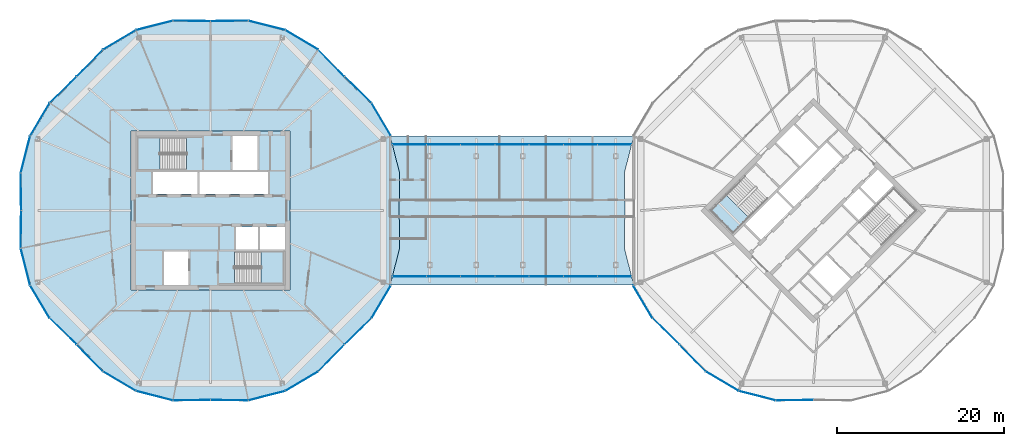
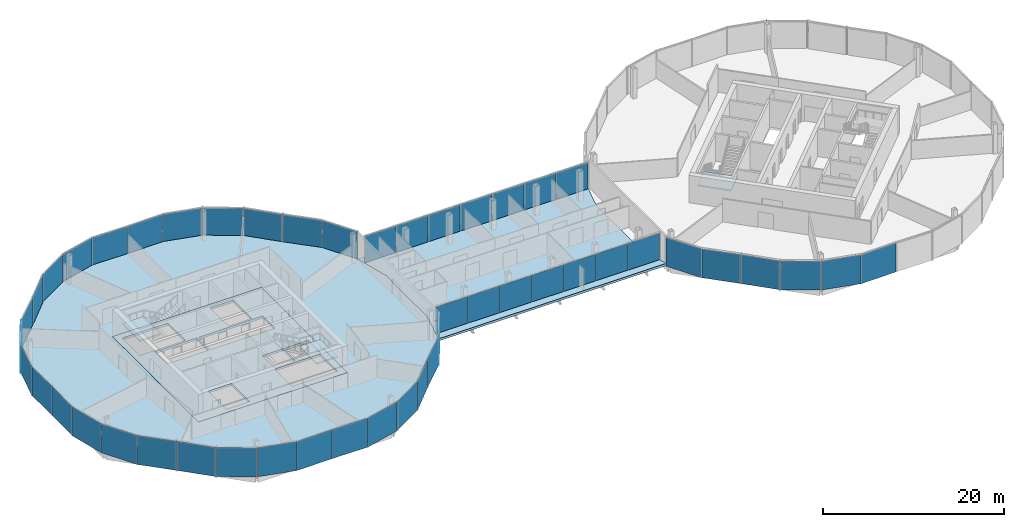
# One storey, part 18 of 26: 48 plates, 6 slabs, 15 elements without a shape of their own.
"""IFC4 building model written with IfcOpenShell, lengths in metres."""

from ifc_helpers import new_model, si_unit, direction, frame, origin, origin_2d, place, context, subcontext, project, spatial, polyline, rectangle, outline, extrude, material, layer, layer_set, type_object, element, aggregate, save


model = new_model("IFC4")

# Units and contexts
model_context = context("Model", 3, precision=1e-05, world=origin(), true_north=direction((0.0, 1.0)))
body_context = subcontext(model_context, "Body", "Model", "MODEL_VIEW")
ifc_project = project(units=[si_unit("LENGTHUNIT", "METRE"), si_unit("AREAUNIT", "SQUARE_METRE"), si_unit("VOLUMEUNIT", "CUBIC_METRE"), si_unit("PLANEANGLEUNIT", "RADIAN"), si_unit("MASSUNIT", "GRAM", prefix="KILO")], contexts=[model_context])

# Site, building, storey
site_placement = place(None, origin())
site = spatial("IfcSite", under=ifc_project, at=site_placement, CompositionType="ELEMENT")
building_placement = place(site_placement, origin())
building = spatial("IfcBuilding", under=site, at=building_placement, Name="Ogive Gate Towers", CompositionType="ELEMENT")
storey_placement = place(building_placement, frame((0.0, 0.0, 148.800048828125)))
storey = spatial("IfcBuildingStorey", under=building, at=storey_placement, Name="L35", CompositionType="ELEMENT", Elevation=148.800048828125)

# Slabs
ifc_material_1 = material(Name="Concrete C40/50", Category="concrete")
ifc_layer_1 = layer(ifc_material_1, 0.300048828125)
ifc_layer_set_1 = layer_set([ifc_layer_1], Name="Core slab C40/50 300 mm")
slab_type_1 = type_object("IfcSlabType", Name="Core slab C40/50 300 mm", PredefinedType="FLOOR", material=ifc_layer_set_1)
slab_1_placement = place(storey_placement, frame((0.0, 0.0, -0.300048828125)))
element("IfcSlab", 1, at=slab_1_placement, inside=storey, type_object=slab_type_1, Name="T1 L35 core slab", PredefinedType="FLOOR", context=body_context, shape_type="SweptSolid", body=[
    extrude(outline(polyline([(-45.5, -9.5), (-45.5, 9.5), (-26.5, 9.5), (-26.5, -9.5), (-45.5, -9.5)]), holes=[polyline([(-42.875, 1.949951171875), (-37.574951171875, 1.949951171875), (-37.574951171875, 4.625), (-42.875, 4.625), (-42.875, 1.949951171875)]), polyline([(-37.324951171875, 4.625), (-37.324951171875, 1.949951171875), (-29.125, 1.949951171875), (-29.125, 4.625), (-37.324951171875, 4.625)]), polyline([(-30.324951171875, -1.949951171875), (-32.97509765625, -1.949951171875), (-32.97509765625, -4.625), (-30.324951171875, -4.625), (-30.324951171875, -1.949951171875)]), polyline([(-27.10009765625, -4.625), (-27.10009765625, -1.949951171875), (-30.074951171875, -1.949951171875), (-30.074951171875, -4.625), (-27.10009765625, -4.625)]), polyline([(-33.375, 4.875), (-30.425048828125, 4.875), (-30.425048828125, 8.89990234375), (-33.375, 8.89990234375), (-33.375, 4.875)]), polyline([(-41.574951171875, -4.875), (-41.574951171875, -8.89990234375), (-38.625, -8.89990234375), (-38.625, -4.875), (-41.574951171875, -4.875)]), polyline([(-44.699951171875, 4.875), (-38.885009765625, 4.875), (-38.885009765625, 8.699951171875), (-44.699951171875, 8.699951171875), (-44.699951171875, 4.875)]), polyline([(-27.300048828125, -8.699951171875), (-27.300048828125, -4.875), (-33.114990234375, -4.875), (-33.114990234375, -8.699951171875), (-27.300048828125, -8.699951171875)])]), origin(), (0.0, 0.0, 1.0), 0.300048828125),
])
ifc_material_2 = material(Name="Concrete C35/45", Category="concrete")
ifc_layer_2 = layer(ifc_material_2, 0.300048828125)
ifc_layer_set_2 = layer_set([ifc_layer_2], Name="Floor slab 300")
slab_type_2 = type_object("IfcSlabType", Name="Floor slab 300", PredefinedType="FLOOR", material=ifc_layer_set_2)
slab_2_placement = place(storey_placement, frame((0.0, 0.0, -0.300048828125)))
element("IfcSlab", 2, at=slab_2_placement, inside=storey, type_object=slab_type_2, Name="T1/L35/SSL001", PredefinedType="FLOOR", context=body_context, shape_type="SweptSolid", body=[
    extrude(outline(polyline([(-13.42236328125, -4.490966796875), (-13.47998046875, 0.0), (-13.42236328125, 4.490966796875), (-14.547607421875, 8.885986328125), (-16.859619140625, 12.789306640625), (-20.075927734375, 15.924072265625), (-23.210693359375, 19.140380859375), (-27.114013671875, 21.452392578125), (-31.509033203125, 22.57763671875), (-36.0, 22.52001953125), (-40.490966796875, 22.57763671875), (-44.885986328125, 21.452392578125), (-48.789306640625, 19.140380859375), (-51.924072265625, 15.924072265625), (-55.140380859375, 12.789306640625), (-57.452392578125, 8.885986328125), (-58.57763671875, 4.490966796875), (-58.52001953125, 0.0), (-58.57763671875, -4.490966796875), (-57.452392578125, -8.885986328125), (-55.140380859375, -12.789306640625), (-51.924072265625, -15.924072265625), (-48.789306640625, -19.140380859375), (-44.885986328125, -21.452392578125), (-40.490966796875, -22.57763671875), (-36.0, -22.52001953125), (-31.509033203125, -22.57763671875), (-27.114013671875, -21.452392578125), (-23.210693359375, -19.140380859375), (-20.075927734375, -15.924072265625), (-16.859619140625, -12.789306640625), (-14.547607421875, -8.885986328125), (-13.42236328125, -4.490966796875)]), holes=[polyline([(-26.5, -9.5), (-45.5, -9.5), (-45.5, 9.5), (-26.5, 9.5), (-26.5, -9.5)])]), origin(), (0.0, 0.0, 1.0), 0.300048828125),
])
slab_3_placement = place(storey_placement, frame((0.0, 0.0, -0.300048828125)))
element("IfcSlab", 3, at=slab_3_placement, inside=storey, type_object=slab_type_2, Name="BR/L35/SSL001", PredefinedType="FLOOR", context=body_context, shape_type="SweptSolid", body=[
    extrude(outline(polyline([(-14.547607421875, -8.885986328125), (14.547607421875, -8.885986328125), (14.547607421875, -8.885986328125), (13.42236328125, -4.490966796875), (13.47998046875, 0.0), (13.42236328125, 4.490966796875), (14.547607421875, 8.885986328125), (-14.547607421875, 8.885986328125), (-13.42236328125, 4.490966796875), (-13.47998046875, 0.0), (-13.42236328125, -4.490966796875), (-14.547607421875, -8.885986328125), (-14.547607421875, -8.885986328125)])), origin(), (0.0, 0.0, 1.0), 0.300048828125),
])

# Curtain wall, plates
ifc_material_3 = material(Name="Pale metal aluminium", Category="aluminium")
curtain_wall_type_1 = type_object("IfcCurtainWallType", Name="Gate block facade", PredefinedType="NOTDEFINED", material=ifc_material_3)
curtain_wall_1_placement = place(storey_placement, origin())
curtain_wall_1 = element("IfcCurtainWall", 4, at=curtain_wall_1_placement, inside=storey, type_object=curtain_wall_type_1, Name="CW3 BR ECW01", PredefinedType="NOTDEFINED")
ifc_material_4 = material(Name="Clear glass", Category="glass")
ifc_layer_3 = layer(ifc_material_4, 0.028076171875)
ifc_layer_set_3 = layer_set([ifc_layer_3], Name="Gate block facade glass panel")
plate_type_1 = type_object("IfcPlateType", Name="Gate block facade glass panel", PredefinedType="CURTAIN_PANEL", material=ifc_layer_set_3)
plate_1_placement = place(storey_placement, frame((-12.249755859375, -7.885986328125, -0.30029296875), z_axis=(0.0, 0.0, 1.0), x_axis=(1.0, 0.0, 0.0)))
plate_1 = element("IfcPlate", 5, at=plate_1_placement, type_object=plate_type_1, Name="CW3 glass panel", PredefinedType="CURTAIN_PANEL", context=body_context, shape_type="SweptSolid", body=[
    extrude(rectangle(XDim=4.029296875, YDim=0.028076171875, at=origin_2d()), origin(), (0.0, 0.0, 1.0), 3.884033203125),
])
plate_2_placement = place(storey_placement, frame((-8.16650390625, -7.885986328125, -0.30029296875), z_axis=(0.0, 0.0, 1.0), x_axis=(1.0, 0.0, 0.0)))
plate_2 = element("IfcPlate", 6, at=plate_2_placement, type_object=plate_type_1, Name="CW3 glass panel", PredefinedType="CURTAIN_PANEL", context=body_context, shape_type="SweptSolid", body=[
    extrude(rectangle(XDim=4.029296875, YDim=0.028076171875, at=origin_2d()), origin(), (0.0, 0.0, 1.0), 3.884033203125),
])
plate_3_placement = place(storey_placement, frame((-4.083251953125, -7.885986328125, -0.30029296875), z_axis=(0.0, 0.0, 1.0), x_axis=(1.0, 0.0, 0.0)))
plate_3 = element("IfcPlate", 7, at=plate_3_placement, type_object=plate_type_1, Name="CW3 glass panel", PredefinedType="CURTAIN_PANEL", context=body_context, shape_type="SweptSolid", body=[
    extrude(rectangle(XDim=4.029296875, YDim=0.028076171875, at=origin_2d()), origin(), (0.0, 0.0, 1.0), 3.884033203125),
])
plate_4_placement = place(storey_placement, frame((0.0, -7.885986328125, -0.30029296875), z_axis=(0.0, 0.0, 1.0), x_axis=(1.0, 0.0, 0.0)))
plate_4 = element("IfcPlate", 8, at=plate_4_placement, type_object=plate_type_1, Name="CW3 glass panel", PredefinedType="CURTAIN_PANEL", context=body_context, shape_type="SweptSolid", body=[
    extrude(rectangle(XDim=4.029296875, YDim=0.028076171875, at=origin_2d()), origin(), (0.0, 0.0, 1.0), 3.884033203125),
])
plate_5_placement = place(storey_placement, frame((4.083251953125, -7.885986328125, -0.30029296875), z_axis=(0.0, 0.0, 1.0), x_axis=(1.0, 0.0, 0.0)))
plate_5 = element("IfcPlate", 9, at=plate_5_placement, type_object=plate_type_1, Name="CW3 glass panel", PredefinedType="CURTAIN_PANEL", context=body_context, shape_type="SweptSolid", body=[
    extrude(rectangle(XDim=4.029296875, YDim=0.028076171875, at=origin_2d()), origin(), (0.0, 0.0, 1.0), 3.884033203125),
])
plate_6_placement = place(storey_placement, frame((8.16650390625, -7.885986328125, -0.30029296875), z_axis=(0.0, 0.0, 1.0), x_axis=(1.0, 0.0, 0.0)))
plate_6 = element("IfcPlate", 10, at=plate_6_placement, type_object=plate_type_1, Name="CW3 glass panel", PredefinedType="CURTAIN_PANEL", context=body_context, shape_type="SweptSolid", body=[
    extrude(rectangle(XDim=4.029296875, YDim=0.028076171875, at=origin_2d()), origin(), (0.0, 0.0, 1.0), 3.884033203125),
])
plate_7_placement = place(storey_placement, frame((12.249755859375, -7.885986328125, -0.30029296875), z_axis=(0.0, 0.0, 1.0), x_axis=(1.0, 0.0, 0.0)))
plate_7 = element("IfcPlate", 11, at=plate_7_placement, type_object=plate_type_1, Name="CW3 glass panel", PredefinedType="CURTAIN_PANEL", context=body_context, shape_type="SweptSolid", body=[
    extrude(rectangle(XDim=4.029296875, YDim=0.028076171875, at=origin_2d()), origin(), (0.0, 0.0, 1.0), 3.884033203125),
])
aggregate(curtain_wall_1, [plate_1, plate_2, plate_3, plate_4, plate_5, plate_6, plate_7])

curtain_wall_2_placement = place(storey_placement, origin())
curtain_wall_2 = element("IfcCurtainWall", 12, at=curtain_wall_2_placement, inside=storey, type_object=curtain_wall_type_1, Name="CW3 BR ECW02", PredefinedType="NOTDEFINED")
plate_8_placement = place(storey_placement, frame((12.249755859375, 7.885986328125, -0.30029296875), z_axis=(0.0, 0.0, 1.0), x_axis=(-1.0, 0.0, 0.0)))
plate_8 = element("IfcPlate", 13, at=plate_8_placement, type_object=plate_type_1, Name="CW3 glass panel", PredefinedType="CURTAIN_PANEL", context=body_context, shape_type="SweptSolid", body=[
    extrude(rectangle(XDim=4.029296875, YDim=0.028076171875, at=origin_2d()), origin(), (0.0, 0.0, 1.0), 3.884033203125),
])
plate_9_placement = place(storey_placement, frame((8.16650390625, 7.885986328125, -0.30029296875), z_axis=(0.0, 0.0, 1.0), x_axis=(-1.0, 0.0, 0.0)))
plate_9 = element("IfcPlate", 14, at=plate_9_placement, type_object=plate_type_1, Name="CW3 glass panel", PredefinedType="CURTAIN_PANEL", context=body_context, shape_type="SweptSolid", body=[
    extrude(rectangle(XDim=4.029296875, YDim=0.028076171875, at=origin_2d()), origin(), (0.0, 0.0, 1.0), 3.884033203125),
])
plate_10_placement = place(storey_placement, frame((4.083251953125, 7.885986328125, -0.30029296875), z_axis=(0.0, 0.0, 1.0), x_axis=(-1.0, 0.0, 0.0)))
plate_10 = element("IfcPlate", 15, at=plate_10_placement, type_object=plate_type_1, Name="CW3 glass panel", PredefinedType="CURTAIN_PANEL", context=body_context, shape_type="SweptSolid", body=[
    extrude(rectangle(XDim=4.029296875, YDim=0.028076171875, at=origin_2d()), origin(), (0.0, 0.0, 1.0), 3.884033203125),
])
plate_11_placement = place(storey_placement, frame((0.0, 7.885986328125, -0.30029296875), z_axis=(0.0, 0.0, 1.0), x_axis=(-1.0, 0.0, 0.0)))
plate_11 = element("IfcPlate", 16, at=plate_11_placement, type_object=plate_type_1, Name="CW3 glass panel", PredefinedType="CURTAIN_PANEL", context=body_context, shape_type="SweptSolid", body=[
    extrude(rectangle(XDim=4.029296875, YDim=0.028076171875, at=origin_2d()), origin(), (0.0, 0.0, 1.0), 3.884033203125),
])
plate_12_placement = place(storey_placement, frame((-4.083251953125, 7.885986328125, -0.30029296875), z_axis=(0.0, 0.0, 1.0), x_axis=(-1.0, 0.0, 0.0)))
plate_12 = element("IfcPlate", 17, at=plate_12_placement, type_object=plate_type_1, Name="CW3 glass panel", PredefinedType="CURTAIN_PANEL", context=body_context, shape_type="SweptSolid", body=[
    extrude(rectangle(XDim=4.029296875, YDim=0.028076171875, at=origin_2d()), origin(), (0.0, 0.0, 1.0), 3.884033203125),
])
plate_13_placement = place(storey_placement, frame((-8.16650390625, 7.885986328125, -0.30029296875), z_axis=(0.0, 0.0, 1.0), x_axis=(-1.0, 0.0, 0.0)))
plate_13 = element("IfcPlate", 18, at=plate_13_placement, type_object=plate_type_1, Name="CW3 glass panel", PredefinedType="CURTAIN_PANEL", context=body_context, shape_type="SweptSolid", body=[
    extrude(rectangle(XDim=4.029296875, YDim=0.028076171875, at=origin_2d()), origin(), (0.0, 0.0, 1.0), 3.884033203125),
])
plate_14_placement = place(storey_placement, frame((-12.249755859375, 7.885986328125, -0.30029296875), z_axis=(0.0, 0.0, 1.0), x_axis=(-1.0, 0.0, 0.0)))
plate_14 = element("IfcPlate", 19, at=plate_14_placement, type_object=plate_type_1, Name="CW3 glass panel", PredefinedType="CURTAIN_PANEL", context=body_context, shape_type="SweptSolid", body=[
    extrude(rectangle(XDim=4.029296875, YDim=0.028076171875, at=origin_2d()), origin(), (0.0, 0.0, 1.0), 3.884033203125),
])
aggregate(curtain_wall_2, [plate_8, plate_9, plate_10, plate_11, plate_12, plate_13, plate_14])

# Stair, slab
stair_type = type_object("IfcStairType", Name="Escape stair 1840 wide", PredefinedType="HALF_TURN_STAIR", material=ifc_material_1)
stair_1_placement = place(storey_placement, origin())
stair_1 = element("IfcStair", 20, at=stair_1_placement, inside=storey, type_object=stair_type, Name="L35 Escape stair 1", PredefinedType="HALF_TURN_STAIR")
ifc_layer_4 = layer(ifc_material_1, 0.199951171875)
ifc_layer_set_4 = layer_set([ifc_layer_4], Name="Stair landing 200 mm")
slab_type_3 = type_object("IfcSlabType", Name="Stair landing 200 mm", PredefinedType="LANDING", material=ifc_layer_set_4)
slab_4_placement = place(storey_placement, frame((0.0, 0.0, 1.800048828125)))
slab_4 = element("IfcSlab", 21, at=slab_4_placement, type_object=slab_type_3, Name="ST1 landing 1", PredefinedType="LANDING", context=body_context, shape_type="SweptSolid", body=[
    extrude(outline(polyline([(-42.027587890625, 8.699951171875), (-44.699951171875, 8.699951171875), (-44.699951171875, 4.875), (-42.027587890625, 4.875), (-42.027587890625, 8.699951171875)])), origin(), (0.0, 0.0, 1.0), 0.199951171875),
])
aggregate(stair_1, [slab_4])

stair_2_placement = place(storey_placement, origin())
stair_2 = element("IfcStair", 22, at=stair_2_placement, inside=storey, type_object=stair_type, Name="L35 Escape stair 2", PredefinedType="HALF_TURN_STAIR")
slab_5_placement = place(storey_placement, frame((0.0, 0.0, 1.800048828125)))
slab_5 = element("IfcSlab", 23, at=slab_5_placement, type_object=slab_type_3, Name="ST2 landing 1", PredefinedType="LANDING", context=body_context, shape_type="SweptSolid", body=[
    extrude(outline(polyline([(-29.972412109375, -8.699951171875), (-27.300048828125, -8.699951171875), (-27.300048828125, -4.875), (-29.972412109375, -4.875), (-29.972412109375, -8.699951171875)])), origin(), (0.0, 0.0, 1.0), 0.199951171875),
])
aggregate(stair_2, [slab_5])

stair_3_placement = place(storey_placement, origin())
stair_3 = element("IfcStair", 24, at=stair_3_placement, inside=storey, type_object=stair_type, Name="L35 Escape stair 1", PredefinedType="HALF_TURN_STAIR")
slab_6_placement = place(storey_placement, frame((0.0, 0.0, 1.800048828125)))
slab_6 = element("IfcSlab", 25, at=slab_6_placement, type_object=slab_type_3, Name="ST1 landing 1", PredefinedType="LANDING", context=body_context, shape_type="SweptSolid", body=[
    extrude(outline(polyline([(25.586181640625, 1.8896484375), (23.6962890625, 0.0), (26.401123046875, -2.70458984375), (28.290771484375, -0.81494140625), (25.586181640625, 1.8896484375)])), origin(), (0.0, 0.0, 1.0), 0.199951171875),
])
aggregate(stair_3, [slab_6])

# Curtain wall, plates
curtain_wall_type_2 = type_object("IfcCurtainWallType", Name="Tower unitised wall, high zone", PredefinedType="NOTDEFINED", material=ifc_material_3)
curtain_wall_3_placement = place(storey_placement, origin())
curtain_wall_3 = element("IfcCurtainWall", 26, at=curtain_wall_3_placement, inside=storey, type_object=curtain_wall_type_2, Name="CW2 T1 ECW01", PredefinedType="NOTDEFINED")
ifc_layer_5 = layer(ifc_material_4, 0.028076171875)
ifc_layer_set_5 = layer_set([ifc_layer_5], Name="Tower unitised wall, high zone glass panel")
plate_type_2 = type_object("IfcPlateType", Name="Tower unitised wall, high zone glass panel", PredefinedType="CURTAIN_PANEL", material=ifc_layer_set_5)
plate_15_placement = place(storey_placement, frame((-15.6162109375, 10.886474609375, -0.30029296875), z_axis=(0.0, 0.0, 1.0), x_axis=(-0.509642202947, 0.860386439326, 0.0)))
plate_15 = element("IfcPlate", 27, at=plate_15_placement, type_object=plate_type_2, Name="CW2 glass panel", PredefinedType="CURTAIN_PANEL", context=body_context, shape_type="SweptSolid", body=[
    extrude(rectangle(XDim=4.50634765625, YDim=0.028076171875, at=origin_2d()), origin(), (0.0, 0.0, 1.0), 3.904052734375),
])
plate_16_placement = place(storey_placement, frame((-18.39404296875, 14.424560546875, -0.30029296875), z_axis=(0.0, 0.0, 1.0), x_axis=(-0.716119237764, 0.697977963337, 0.0)))
plate_16 = element("IfcPlate", 28, at=plate_16_placement, type_object=plate_type_2, Name="CW2 glass panel", PredefinedType="CURTAIN_PANEL", context=body_context, shape_type="SweptSolid", body=[
    extrude(rectangle(XDim=4.4453125, YDim=0.028076171875, at=origin_2d()), origin(), (0.0, 0.0, 1.0), 3.904052734375),
])
aggregate(curtain_wall_3, [plate_15, plate_16])

curtain_wall_4_placement = place(storey_placement, origin())
curtain_wall_4 = element("IfcCurtainWall", 29, at=curtain_wall_4_placement, inside=storey, type_object=curtain_wall_type_2, Name="CW2 T1 ECW02", PredefinedType="NOTDEFINED")
plate_17_placement = place(storey_placement, frame((-21.575439453125, 17.60595703125, -0.30029296875), z_axis=(0.0, 0.0, 1.0), x_axis=(-0.697977963337, 0.716119237764, 0.0)))
plate_17 = element("IfcPlate", 30, at=plate_17_placement, type_object=plate_type_2, Name="CW2 glass panel", PredefinedType="CURTAIN_PANEL", context=body_context, shape_type="SweptSolid", body=[
    extrude(rectangle(XDim=4.4453125, YDim=0.028076171875, at=origin_2d()), origin(), (0.0, 0.0, 1.0), 3.904052734375),
])
plate_18_placement = place(storey_placement, frame((-25.11181640625, 20.3828125, -0.30029296875), z_axis=(0.0, 0.0, 1.0), x_axis=(-0.860386439326, 0.509642202947, 0.0)))
plate_18 = element("IfcPlate", 31, at=plate_18_placement, type_object=plate_type_2, Name="CW2 glass panel", PredefinedType="CURTAIN_PANEL", context=body_context, shape_type="SweptSolid", body=[
    extrude(rectangle(XDim=4.50244140625, YDim=0.028076171875, at=origin_2d()), origin(), (0.0, 0.0, 1.0), 3.904052734375),
])
plate_19_placement = place(storey_placement, frame((-29.286376953125, 22.11181640625, -0.30029296875), z_axis=(0.0, 0.0, 1.0), x_axis=(-0.968756543371, 0.248013628006, 0.0)))
plate_19 = element("IfcPlate", 32, at=plate_19_placement, type_object=plate_type_2, Name="CW2 glass panel", PredefinedType="CURTAIN_PANEL", context=body_context, shape_type="SweptSolid", body=[
    extrude(rectangle(XDim=4.50244140625, YDim=0.028076171875, at=origin_2d()), origin(), (0.0, 0.0, 1.0), 3.904052734375),
])
plate_20_placement = place(storey_placement, frame((-33.75048828125, 22.64892578125, -0.30029296875), z_axis=(0.0, 0.0, 1.0), x_axis=(-0.999917720156, -0.012827818167, 0.0)))
plate_20 = element("IfcPlate", 33, at=plate_20_placement, type_object=plate_type_2, Name="CW2 glass panel", PredefinedType="CURTAIN_PANEL", context=body_context, shape_type="SweptSolid", body=[
    extrude(rectangle(XDim=4.4453125, YDim=0.028076171875, at=origin_2d()), origin(), (0.0, 0.0, 1.0), 3.904052734375),
])
aggregate(curtain_wall_4, [plate_17, plate_18, plate_19, plate_20])

curtain_wall_5_placement = place(storey_placement, origin())
curtain_wall_5 = element("IfcCurtainWall", 34, at=curtain_wall_5_placement, inside=storey, type_object=curtain_wall_type_2, Name="CW2 T1 ECW03", PredefinedType="NOTDEFINED")
plate_21_placement = place(storey_placement, frame((-38.24951171875, 22.64892578125, -0.30029296875), z_axis=(0.0, 0.0, 1.0), x_axis=(-0.999917720156, 0.012827818167, 0.0)))
plate_21 = element("IfcPlate", 35, at=plate_21_placement, type_object=plate_type_2, Name="CW2 glass panel", PredefinedType="CURTAIN_PANEL", context=body_context, shape_type="SweptSolid", body=[
    extrude(rectangle(XDim=4.4453125, YDim=0.028076171875, at=origin_2d()), origin(), (0.0, 0.0, 1.0), 3.904052734375),
])
plate_22_placement = place(storey_placement, frame((-42.713623046875, 22.11181640625, -0.30029296875), z_axis=(0.0, 0.0, 1.0), x_axis=(-0.968756543371, -0.248013628006, 0.0)))
plate_22 = element("IfcPlate", 36, at=plate_22_placement, type_object=plate_type_2, Name="CW2 glass panel", PredefinedType="CURTAIN_PANEL", context=body_context, shape_type="SweptSolid", body=[
    extrude(rectangle(XDim=4.50244140625, YDim=0.028076171875, at=origin_2d()), origin(), (0.0, 0.0, 1.0), 3.904052734375),
])
plate_23_placement = place(storey_placement, frame((-46.88818359375, 20.3828125, -0.30029296875), z_axis=(0.0, 0.0, 1.0), x_axis=(-0.860386439326, -0.509642202947, 0.0)))
plate_23 = element("IfcPlate", 37, at=plate_23_placement, type_object=plate_type_2, Name="CW2 glass panel", PredefinedType="CURTAIN_PANEL", context=body_context, shape_type="SweptSolid", body=[
    extrude(rectangle(XDim=4.50244140625, YDim=0.028076171875, at=origin_2d()), origin(), (0.0, 0.0, 1.0), 3.904052734375),
])
plate_24_placement = place(storey_placement, frame((-50.424560546875, 17.60595703125, -0.30029296875), z_axis=(0.0, 0.0, 1.0), x_axis=(-0.697977963337, -0.716119237764, 0.0)))
plate_24 = element("IfcPlate", 38, at=plate_24_placement, type_object=plate_type_2, Name="CW2 glass panel", PredefinedType="CURTAIN_PANEL", context=body_context, shape_type="SweptSolid", body=[
    extrude(rectangle(XDim=4.4453125, YDim=0.028076171875, at=origin_2d()), origin(), (0.0, 0.0, 1.0), 3.904052734375),
])
aggregate(curtain_wall_5, [plate_21, plate_22, plate_23, plate_24])

curtain_wall_6_placement = place(storey_placement, origin())
curtain_wall_6 = element("IfcCurtainWall", 39, at=curtain_wall_6_placement, inside=storey, type_object=curtain_wall_type_2, Name="CW2 T1 ECW04", PredefinedType="NOTDEFINED")
plate_25_placement = place(storey_placement, frame((-53.60595703125, 14.424560546875, -0.30029296875), z_axis=(0.0, 0.0, 1.0), x_axis=(-0.716119237764, -0.697977963337, 0.0)))
plate_25 = element("IfcPlate", 40, at=plate_25_placement, type_object=plate_type_2, Name="CW2 glass panel", PredefinedType="CURTAIN_PANEL", context=body_context, shape_type="SweptSolid", body=[
    extrude(rectangle(XDim=4.4453125, YDim=0.028076171875, at=origin_2d()), origin(), (0.0, 0.0, 1.0), 3.904052734375),
])
plate_26_placement = place(storey_placement, frame((-56.3828125, 10.88818359375, -0.30029296875), z_axis=(0.0, 0.0, 1.0), x_axis=(-0.509642202947, -0.860386439326, 0.0)))
plate_26 = element("IfcPlate", 41, at=plate_26_placement, type_object=plate_type_2, Name="CW2 glass panel", PredefinedType="CURTAIN_PANEL", context=body_context, shape_type="SweptSolid", body=[
    extrude(rectangle(XDim=4.50244140625, YDim=0.028076171875, at=origin_2d()), origin(), (0.0, 0.0, 1.0), 3.904052734375),
])
plate_27_placement = place(storey_placement, frame((-58.11181640625, 6.713623046875, -0.30029296875), z_axis=(0.0, 0.0, 1.0), x_axis=(-0.248013628006, -0.968756543371, 0.0)))
plate_27 = element("IfcPlate", 42, at=plate_27_placement, type_object=plate_type_2, Name="CW2 glass panel", PredefinedType="CURTAIN_PANEL", context=body_context, shape_type="SweptSolid", body=[
    extrude(rectangle(XDim=4.50244140625, YDim=0.028076171875, at=origin_2d()), origin(), (0.0, 0.0, 1.0), 3.904052734375),
])
plate_28_placement = place(storey_placement, frame((-58.64892578125, 2.24951171875, -0.30029296875), z_axis=(0.0, 0.0, 1.0), x_axis=(0.012827818167, -0.999917720156, 0.0)))
plate_28 = element("IfcPlate", 43, at=plate_28_placement, type_object=plate_type_2, Name="CW2 glass panel", PredefinedType="CURTAIN_PANEL", context=body_context, shape_type="SweptSolid", body=[
    extrude(rectangle(XDim=4.4453125, YDim=0.028076171875, at=origin_2d()), origin(), (0.0, 0.0, 1.0), 3.904052734375),
])
aggregate(curtain_wall_6, [plate_25, plate_26, plate_27, plate_28])

curtain_wall_7_placement = place(storey_placement, origin())
curtain_wall_7 = element("IfcCurtainWall", 44, at=curtain_wall_7_placement, inside=storey, type_object=curtain_wall_type_2, Name="CW2 T1 ECW05", PredefinedType="NOTDEFINED")
plate_29_placement = place(storey_placement, frame((-58.64892578125, -2.24951171875, -0.30029296875), z_axis=(0.0, 0.0, 1.0), x_axis=(-0.012827818167, -0.999917720156, 0.0)))
plate_29 = element("IfcPlate", 45, at=plate_29_placement, type_object=plate_type_2, Name="CW2 glass panel", PredefinedType="CURTAIN_PANEL", context=body_context, shape_type="SweptSolid", body=[
    extrude(rectangle(XDim=4.4453125, YDim=0.028076171875, at=origin_2d()), origin(), (0.0, 0.0, 1.0), 3.904052734375),
])
plate_30_placement = place(storey_placement, frame((-58.11181640625, -6.713623046875, -0.30029296875), z_axis=(0.0, 0.0, 1.0), x_axis=(0.248013628006, -0.968756543371, 0.0)))
plate_30 = element("IfcPlate", 46, at=plate_30_placement, type_object=plate_type_2, Name="CW2 glass panel", PredefinedType="CURTAIN_PANEL", context=body_context, shape_type="SweptSolid", body=[
    extrude(rectangle(XDim=4.50244140625, YDim=0.028076171875, at=origin_2d()), origin(), (0.0, 0.0, 1.0), 3.904052734375),
])
plate_31_placement = place(storey_placement, frame((-56.3828125, -10.88818359375, -0.30029296875), z_axis=(0.0, 0.0, 1.0), x_axis=(0.509642202947, -0.860386439326, 0.0)))
plate_31 = element("IfcPlate", 47, at=plate_31_placement, type_object=plate_type_2, Name="CW2 glass panel", PredefinedType="CURTAIN_PANEL", context=body_context, shape_type="SweptSolid", body=[
    extrude(rectangle(XDim=4.50244140625, YDim=0.028076171875, at=origin_2d()), origin(), (0.0, 0.0, 1.0), 3.904052734375),
])
plate_32_placement = place(storey_placement, frame((-53.60595703125, -14.424560546875, -0.30029296875), z_axis=(0.0, 0.0, 1.0), x_axis=(0.716119237764, -0.697977963337, 0.0)))
plate_32 = element("IfcPlate", 48, at=plate_32_placement, type_object=plate_type_2, Name="CW2 glass panel", PredefinedType="CURTAIN_PANEL", context=body_context, shape_type="SweptSolid", body=[
    extrude(rectangle(XDim=4.4453125, YDim=0.028076171875, at=origin_2d()), origin(), (0.0, 0.0, 1.0), 3.904052734375),
])
aggregate(curtain_wall_7, [plate_29, plate_30, plate_31, plate_32])

curtain_wall_8_placement = place(storey_placement, origin())
curtain_wall_8 = element("IfcCurtainWall", 49, at=curtain_wall_8_placement, inside=storey, type_object=curtain_wall_type_2, Name="CW2 T1 ECW06", PredefinedType="NOTDEFINED")
plate_33_placement = place(storey_placement, frame((-50.424560546875, -17.60595703125, -0.30029296875), z_axis=(0.0, 0.0, 1.0), x_axis=(0.697977963337, -0.716119237764, 0.0)))
plate_33 = element("IfcPlate", 50, at=plate_33_placement, type_object=plate_type_2, Name="CW2 glass panel", PredefinedType="CURTAIN_PANEL", context=body_context, shape_type="SweptSolid", body=[
    extrude(rectangle(XDim=4.4453125, YDim=0.028076171875, at=origin_2d()), origin(), (0.0, 0.0, 1.0), 3.904052734375),
])
plate_34_placement = place(storey_placement, frame((-46.88818359375, -20.3828125, -0.30029296875), z_axis=(0.0, 0.0, 1.0), x_axis=(0.860386439326, -0.509642202947, 0.0)))
plate_34 = element("IfcPlate", 51, at=plate_34_placement, type_object=plate_type_2, Name="CW2 glass panel", PredefinedType="CURTAIN_PANEL", context=body_context, shape_type="SweptSolid", body=[
    extrude(rectangle(XDim=4.50244140625, YDim=0.028076171875, at=origin_2d()), origin(), (0.0, 0.0, 1.0), 3.904052734375),
])
plate_35_placement = place(storey_placement, frame((-42.713623046875, -22.11181640625, -0.30029296875), z_axis=(0.0, 0.0, 1.0), x_axis=(0.968756543371, -0.248013628006, 0.0)))
plate_35 = element("IfcPlate", 52, at=plate_35_placement, type_object=plate_type_2, Name="CW2 glass panel", PredefinedType="CURTAIN_PANEL", context=body_context, shape_type="SweptSolid", body=[
    extrude(rectangle(XDim=4.50244140625, YDim=0.028076171875, at=origin_2d()), origin(), (0.0, 0.0, 1.0), 3.904052734375),
])
plate_36_placement = place(storey_placement, frame((-38.24951171875, -22.64892578125, -0.30029296875), z_axis=(0.0, 0.0, 1.0), x_axis=(0.999917720156, 0.012827818167, 0.0)))
plate_36 = element("IfcPlate", 53, at=plate_36_placement, type_object=plate_type_2, Name="CW2 glass panel", PredefinedType="CURTAIN_PANEL", context=body_context, shape_type="SweptSolid", body=[
    extrude(rectangle(XDim=4.4453125, YDim=0.028076171875, at=origin_2d()), origin(), (0.0, 0.0, 1.0), 3.904052734375),
])
aggregate(curtain_wall_8, [plate_33, plate_34, plate_35, plate_36])

curtain_wall_9_placement = place(storey_placement, origin())
curtain_wall_9 = element("IfcCurtainWall", 54, at=curtain_wall_9_placement, inside=storey, type_object=curtain_wall_type_2, Name="CW2 T1 ECW07", PredefinedType="NOTDEFINED")
plate_37_placement = place(storey_placement, frame((-33.75048828125, -22.64892578125, -0.30029296875), z_axis=(0.0, 0.0, 1.0), x_axis=(0.999917720156, -0.012827818167, 0.0)))
plate_37 = element("IfcPlate", 55, at=plate_37_placement, type_object=plate_type_2, Name="CW2 glass panel", PredefinedType="CURTAIN_PANEL", context=body_context, shape_type="SweptSolid", body=[
    extrude(rectangle(XDim=4.4453125, YDim=0.028076171875, at=origin_2d()), origin(), (0.0, 0.0, 1.0), 3.904052734375),
])
plate_38_placement = place(storey_placement, frame((-29.286376953125, -22.11181640625, -0.30029296875), z_axis=(0.0, 0.0, 1.0), x_axis=(0.968756543371, 0.248013628006, 0.0)))
plate_38 = element("IfcPlate", 56, at=plate_38_placement, type_object=plate_type_2, Name="CW2 glass panel", PredefinedType="CURTAIN_PANEL", context=body_context, shape_type="SweptSolid", body=[
    extrude(rectangle(XDim=4.50244140625, YDim=0.028076171875, at=origin_2d()), origin(), (0.0, 0.0, 1.0), 3.904052734375),
])
plate_39_placement = place(storey_placement, frame((-25.11181640625, -20.3828125, -0.30029296875), z_axis=(0.0, 0.0, 1.0), x_axis=(0.860386439326, 0.509642202947, 0.0)))
plate_39 = element("IfcPlate", 57, at=plate_39_placement, type_object=plate_type_2, Name="CW2 glass panel", PredefinedType="CURTAIN_PANEL", context=body_context, shape_type="SweptSolid", body=[
    extrude(rectangle(XDim=4.50244140625, YDim=0.028076171875, at=origin_2d()), origin(), (0.0, 0.0, 1.0), 3.904052734375),
])
plate_40_placement = place(storey_placement, frame((-21.575439453125, -17.60595703125, -0.30029296875), z_axis=(0.0, 0.0, 1.0), x_axis=(0.697977963337, 0.716119237764, 0.0)))
plate_40 = element("IfcPlate", 58, at=plate_40_placement, type_object=plate_type_2, Name="CW2 glass panel", PredefinedType="CURTAIN_PANEL", context=body_context, shape_type="SweptSolid", body=[
    extrude(rectangle(XDim=4.4453125, YDim=0.028076171875, at=origin_2d()), origin(), (0.0, 0.0, 1.0), 3.904052734375),
])
aggregate(curtain_wall_9, [plate_37, plate_38, plate_39, plate_40])

curtain_wall_10_placement = place(storey_placement, origin())
curtain_wall_10 = element("IfcCurtainWall", 59, at=curtain_wall_10_placement, inside=storey, type_object=curtain_wall_type_2, Name="CW2 T1 ECW08", PredefinedType="NOTDEFINED")
plate_41_placement = place(storey_placement, frame((-18.39404296875, -14.424560546875, -0.30029296875), z_axis=(0.0, 0.0, 1.0), x_axis=(0.716119237764, 0.697977963337, 0.0)))
plate_41 = element("IfcPlate", 60, at=plate_41_placement, type_object=plate_type_2, Name="CW2 glass panel", PredefinedType="CURTAIN_PANEL", context=body_context, shape_type="SweptSolid", body=[
    extrude(rectangle(XDim=4.4453125, YDim=0.028076171875, at=origin_2d()), origin(), (0.0, 0.0, 1.0), 3.904052734375),
])
plate_42_placement = place(storey_placement, frame((-15.6162109375, -10.886474609375, -0.30029296875), z_axis=(0.0, 0.0, 1.0), x_axis=(0.509642202947, 0.860386439326, 0.0)))
plate_42 = element("IfcPlate", 61, at=plate_42_placement, type_object=plate_type_2, Name="CW2 glass panel", PredefinedType="CURTAIN_PANEL", context=body_context, shape_type="SweptSolid", body=[
    extrude(rectangle(XDim=4.50634765625, YDim=0.028076171875, at=origin_2d()), origin(), (0.0, 0.0, 1.0), 3.904052734375),
])
aggregate(curtain_wall_10, [plate_41, plate_42])

curtain_wall_11_placement = place(storey_placement, origin())
curtain_wall_11 = element("IfcCurtainWall", 62, at=curtain_wall_11_placement, inside=storey, type_object=curtain_wall_type_2, Name="CW2 T2 ECW05", PredefinedType="NOTDEFINED")
plate_43_placement = place(storey_placement, frame((15.6162109375, -10.886474609375, -0.30029296875), z_axis=(0.0, 0.0, 1.0), x_axis=(0.509642202947, -0.860386439326, 0.0)))
plate_43 = element("IfcPlate", 63, at=plate_43_placement, type_object=plate_type_2, Name="CW2 glass panel", PredefinedType="CURTAIN_PANEL", context=body_context, shape_type="SweptSolid", body=[
    extrude(rectangle(XDim=4.50634765625, YDim=0.028076171875, at=origin_2d()), origin(), (0.0, 0.0, 1.0), 3.904052734375),
])
plate_44_placement = place(storey_placement, frame((18.39404296875, -14.424560546875, -0.30029296875), z_axis=(0.0, 0.0, 1.0), x_axis=(0.716119237764, -0.697977963337, 0.0)))
plate_44 = element("IfcPlate", 64, at=plate_44_placement, type_object=plate_type_2, Name="CW2 glass panel", PredefinedType="CURTAIN_PANEL", context=body_context, shape_type="SweptSolid", body=[
    extrude(rectangle(XDim=4.4453125, YDim=0.028076171875, at=origin_2d()), origin(), (0.0, 0.0, 1.0), 3.904052734375),
])
aggregate(curtain_wall_11, [plate_43, plate_44])

curtain_wall_12_placement = place(storey_placement, origin())
curtain_wall_12 = element("IfcCurtainWall", 65, at=curtain_wall_12_placement, inside=storey, type_object=curtain_wall_type_2, Name="CW2 T2 ECW06", PredefinedType="NOTDEFINED")
plate_45_placement = place(storey_placement, frame((21.575439453125, -17.60595703125, -0.30029296875), z_axis=(0.0, 0.0, 1.0), x_axis=(0.697977963337, -0.716119237764, 0.0)))
plate_45 = element("IfcPlate", 66, at=plate_45_placement, type_object=plate_type_2, Name="CW2 glass panel", PredefinedType="CURTAIN_PANEL", context=body_context, shape_type="SweptSolid", body=[
    extrude(rectangle(XDim=4.4453125, YDim=0.028076171875, at=origin_2d()), origin(), (0.0, 0.0, 1.0), 3.904052734375),
])
plate_46_placement = place(storey_placement, frame((25.11181640625, -20.3828125, -0.30029296875), z_axis=(0.0, 0.0, 1.0), x_axis=(0.860386439326, -0.509642202947, 0.0)))
plate_46 = element("IfcPlate", 67, at=plate_46_placement, type_object=plate_type_2, Name="CW2 glass panel", PredefinedType="CURTAIN_PANEL", context=body_context, shape_type="SweptSolid", body=[
    extrude(rectangle(XDim=4.50244140625, YDim=0.028076171875, at=origin_2d()), origin(), (0.0, 0.0, 1.0), 3.904052734375),
])
plate_47_placement = place(storey_placement, frame((29.286376953125, -22.11181640625, -0.30029296875), z_axis=(0.0, 0.0, 1.0), x_axis=(0.968756543371, -0.248013628006, 0.0)))
plate_47 = element("IfcPlate", 68, at=plate_47_placement, type_object=plate_type_2, Name="CW2 glass panel", PredefinedType="CURTAIN_PANEL", context=body_context, shape_type="SweptSolid", body=[
    extrude(rectangle(XDim=4.50244140625, YDim=0.028076171875, at=origin_2d()), origin(), (0.0, 0.0, 1.0), 3.904052734375),
])
plate_48_placement = place(storey_placement, frame((33.75048828125, -22.64892578125, -0.30029296875), z_axis=(0.0, 0.0, 1.0), x_axis=(0.999917720156, 0.012827818167, 0.0)))
plate_48 = element("IfcPlate", 69, at=plate_48_placement, type_object=plate_type_2, Name="CW2 glass panel", PredefinedType="CURTAIN_PANEL", context=body_context, shape_type="SweptSolid", body=[
    extrude(rectangle(XDim=4.4453125, YDim=0.028076171875, at=origin_2d()), origin(), (0.0, 0.0, 1.0), 3.904052734375),
])
aggregate(curtain_wall_12, [plate_45, plate_46, plate_47, plate_48])

save(model, "model.ifc")
